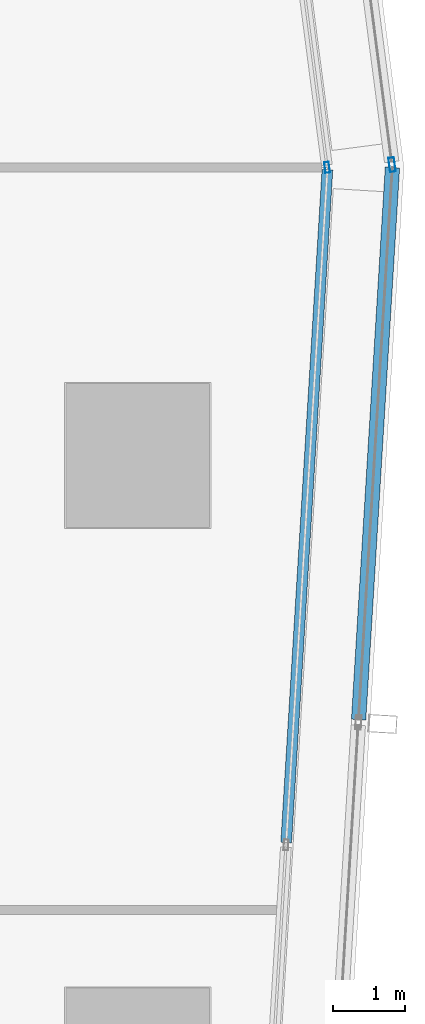
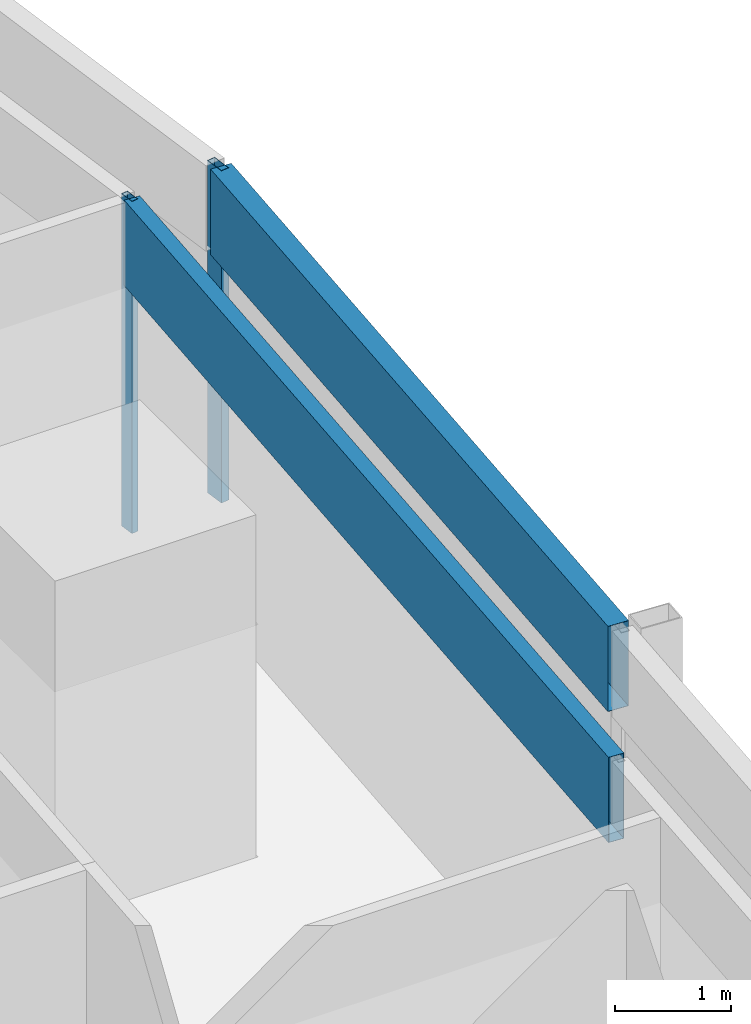
# One storey, part 25 of 39: 4 members, 4 elements without a shape of their own.
"""IFC4 building model written with IfcOpenShell, lengths in metres."""

from ifc_helpers import new_model, si_unit, direction, frame, origin, origin_2d, place, context, subcontext, project, spatial, hollow_rectangle, extrude, material, material_profile, profile_set, type_object, element, aggregate, save


model = new_model("IFC4")

# Units and contexts
model_context = context("Model", 3, precision=1e-05, world=origin(), true_north=direction((0.0, 1.0)))
body_context = subcontext(model_context, "Body", "Model", "MODEL_VIEW")
ifc_project = project(units=[si_unit("LENGTHUNIT", "METRE"), si_unit("AREAUNIT", "SQUARE_METRE"), si_unit("VOLUMEUNIT", "CUBIC_METRE"), si_unit("PLANEANGLEUNIT", "RADIAN"), si_unit("MASSUNIT", "GRAM", prefix="KILO")], contexts=[model_context])

# Site, building, storey
site_placement = place(None, origin())
site = spatial("IfcSite", under=ifc_project, at=site_placement, CompositionType="ELEMENT")
building_placement = place(site_placement, origin())
building = spatial("IfcBuilding", under=site, at=building_placement, Name="Rekha Terrace Tower", CompositionType="ELEMENT")
storey_placement = place(building_placement, frame((0.0, 0.0, 151.550048828125)))
storey = spatial("IfcBuildingStorey", under=building, at=storey_placement, Name="L38", CompositionType="ELEMENT", Elevation=151.550048828125)

# Curtain wall, member
ifc_material_1 = material(Name="Aluminium framing", Category="aluminium")
curtain_wall_type_1 = type_object("IfcCurtainWallType", Name="CW1 double skin inner glazing", PredefinedType="USERDEFINED", material=ifc_material_1)
curtain_wall_1_placement = place(storey_placement, origin())
curtain_wall_1 = element("IfcCurtainWall", 1, at=curtain_wall_1_placement, inside=storey, type_object=curtain_wall_type_1, Name="CW1 double skin inner glazing", ObjectType="DOUBLE SKIN INNER GLAZING", PredefinedType="USERDEFINED")
ifc_material_2 = material(Name="Aluminium mullion section", Category="aluminium")
ifc_material_profile_1 = material_profile(ifc_material_2, hollow_rectangle(XDim=0.06494140625, YDim=0.14990234375, WallThickness=0.00390625, at=origin_2d()), Name="AL RHS 65x150")
ifc_profile_set_1 = profile_set([ifc_material_profile_1], Name="Aluminium mullion section")
member_type_1 = type_object("IfcMemberType", Name="CW1 mullion RHS 65 x 150", PredefinedType="MULLION", material=ifc_profile_set_1)
member_1_placement = place(storey_placement, frame((69.83154296875, 46.00390625, 0.0), z_axis=(0.0, 0.0, 1.0), x_axis=(-0.991629186237, -0.129118383675, 0.0)))
member_1 = element("IfcMember", 2, at=member_1_placement, type_object=member_type_1, Name="CW1 mullion 1", PredefinedType="MULLION", context=body_context, shape_type="SweptSolid", body=[
    extrude(hollow_rectangle(XDim=0.06494140625, YDim=0.14990234375, WallThickness=0.00390625, at=origin_2d()), origin(), (0.0, 0.0, 1.0), 3.5),
])
aggregate(curtain_wall_1, [member_1])

curtain_wall_2_placement = place(storey_placement, origin())
curtain_wall_2 = element("IfcCurtainWall", 3, at=curtain_wall_2_placement, inside=storey, type_object=curtain_wall_type_1, Name="CW1 double skin inner glazing", ObjectType="DOUBLE SKIN INNER GLAZING", PredefinedType="USERDEFINED")
ifc_material_3 = material(Name="Insulated aluminium spandrel box", Category="aluminium")
ifc_material_profile_2 = material_profile(ifc_material_3, hollow_rectangle(XDim=0.14990234375, YDim=0.89990234375, WallThickness=0.0029296875, at=origin_2d()), Name="AL SPANDREL BOX 150x900")
ifc_profile_set_2 = profile_set([ifc_material_profile_2], Name="Insulated aluminium spandrel box")
member_type_2 = type_object("IfcMemberType", Name="CW1 spandrel transom 150 x 900", PredefinedType="USERDEFINED", material=ifc_profile_set_2)
member_2_placement = place(storey_placement, frame((69.262939453125, 36.6220703125, 3.050048828125), z_axis=(0.061145038118, 0.998128891634, 0.0), x_axis=(-0.998128891634, 0.061145038118, 0.0)))
member_2 = element("IfcMember", 4, at=member_2_placement, type_object=member_type_2, Name="CW1 spandrel transom 3", ObjectType="TRANSOM", PredefinedType="USERDEFINED", context=body_context, shape_type="SweptSolid", body=[
    extrude(hollow_rectangle(XDim=0.14990234375, YDim=0.89990234375, WallThickness=0.0029296875, at=origin_2d()), origin(), (0.0, 0.0, 1.0), 9.3671875),
])
aggregate(curtain_wall_2, [member_2])

curtain_wall_type_2 = type_object("IfcCurtainWallType", Name="CW2 double skin outer glazing", PredefinedType="USERDEFINED", material=ifc_material_1)
curtain_wall_3_placement = place(storey_placement, origin())
curtain_wall_3 = element("IfcCurtainWall", 5, at=curtain_wall_3_placement, inside=storey, type_object=curtain_wall_type_2, Name="CW2 double skin outer glazing", ObjectType="DOUBLE SKIN OUTER GLAZING", PredefinedType="USERDEFINED")
ifc_material_profile_3 = material_profile(ifc_material_2, hollow_rectangle(XDim=0.080078125, YDim=0.199951171875, WallThickness=0.00390625, at=origin_2d()), Name="AL RHS 80x200")
ifc_profile_set_3 = profile_set([ifc_material_profile_3], Name="Aluminium mullion section")
member_type_3 = type_object("IfcMemberType", Name="CW2 mullion RHS 80 x 200", PredefinedType="MULLION", material=ifc_profile_set_3)
member_3_placement = place(storey_placement, frame((70.734130859375, 46.042236328125, 0.0), z_axis=(0.0, 0.0, 1.0), x_axis=(-0.991629186244, -0.129118383623, 0.0)))
member_3 = element("IfcMember", 6, at=member_3_placement, type_object=member_type_3, Name="CW2 mullion 1", PredefinedType="MULLION", context=body_context, shape_type="SweptSolid", body=[
    extrude(hollow_rectangle(XDim=0.080078125, YDim=0.199951171875, WallThickness=0.00390625, at=origin_2d()), origin(), (0.0, 0.0, 1.0), 3.5),
])
aggregate(curtain_wall_3, [member_3])

curtain_wall_4_placement = place(storey_placement, origin())
curtain_wall_4 = element("IfcCurtainWall", 7, at=curtain_wall_4_placement, inside=storey, type_object=curtain_wall_type_2, Name="CW2 double skin outer glazing", ObjectType="DOUBLE SKIN OUTER GLAZING", PredefinedType="USERDEFINED")
ifc_material_profile_4 = material_profile(ifc_material_3, hollow_rectangle(XDim=0.199951171875, YDim=0.89990234375, WallThickness=0.0029296875, at=origin_2d()), Name="AL SPANDREL BOX 200x900")
ifc_profile_set_4 = profile_set([ifc_material_profile_4], Name="Insulated aluminium spandrel box")
member_type_4 = type_object("IfcMemberType", Name="CW2 spandrel transom 200 x 900", PredefinedType="USERDEFINED", material=ifc_profile_set_4)
member_4_placement = place(storey_placement, frame((70.269287109375, 38.330322265625, 3.050048828125), z_axis=(0.061142352683, 0.998129056139, 0.0), x_axis=(-0.998129056139, 0.061142352683, 0.0)))
member_4 = element("IfcMember", 8, at=member_4_placement, type_object=member_type_4, Name="CW2 spandrel transom 4", ObjectType="TRANSOM", PredefinedType="USERDEFINED", context=body_context, shape_type="SweptSolid", body=[
    extrude(hollow_rectangle(XDim=0.199951171875, YDim=0.89990234375, WallThickness=0.0029296875, at=origin_2d()), origin(), (0.0, 0.0, 1.0), 7.6865234375),
])
aggregate(curtain_wall_4, [member_4])

save(model, "model.ifc")
